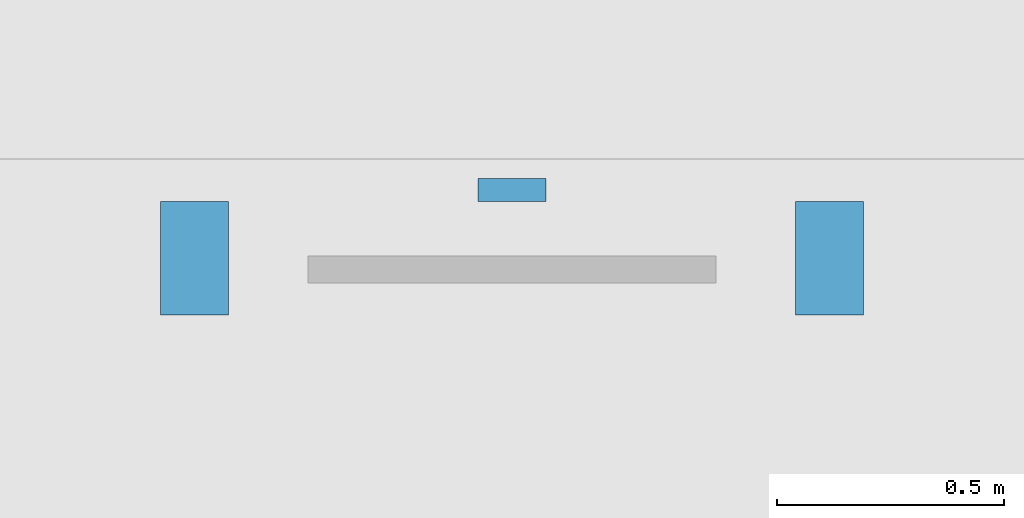
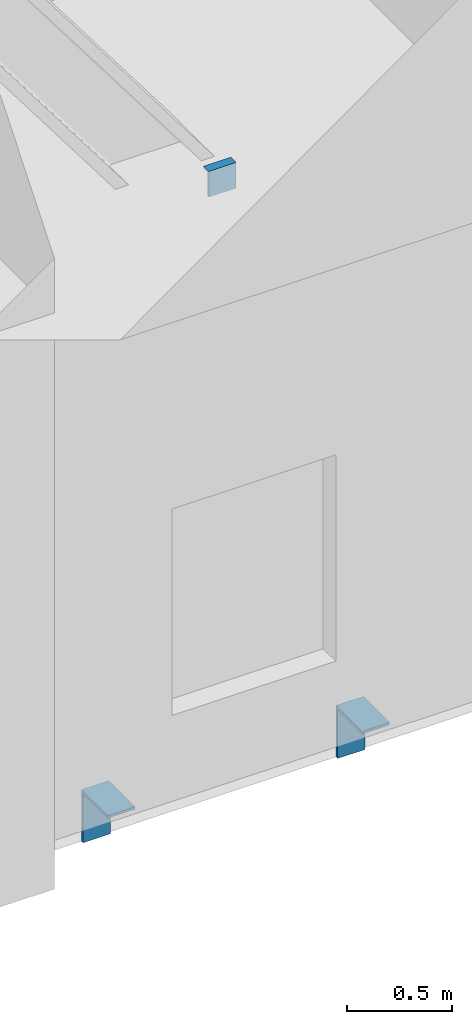
# One storey, part 10 of 17: 3 discrete accessories.
"""IFC4 building model written with IfcOpenShell, lengths in metres."""

import ifcopenshell
import ifcopenshell.guid

model = None  # the IFC model being written
_history = None  # IfcOwnerHistory: only IFC2X3 demands one
_inside = {}  # id of a spatial element -> (the spatial element, [elements in it])
_under = {}  # id of a project, library or spatial element -> (it, [spatial elements below it])
_declared = {}  # id of a project -> (the project, [libraries it declares])
_typed = {}  # id of a type object -> (the type object, [elements of that type])
_made_of = {}  # id of a material, layer set ... -> (it, [elements and type objects made of it])


def new_model(schema):
    """Start an empty IFC model of exactly this schema.

    Asked for "IFC4X3", IfcOpenShell would pick the latest addendum, in which some entities
    have other attributes; the version numbers below select the first issue.
    IFC2X3 requires an IfcOwnerHistory on every rooted entity: one is made here for all.
    """
    global model, _history
    if schema == "IFC4X3":
        model = ifcopenshell.file(schema_version=(4, 3, 0, 0))
    else:
        model = ifcopenshell.file(schema=schema)
    _inside.clear()
    _under.clear()
    _declared.clear()
    _typed.clear()
    _made_of.clear()
    _history = None
    if model.schema == "IFC2X3":
        org = make("IfcOrganization", Name="unknown")
        user = make(
            "IfcPersonAndOrganization",
            ThePerson=make("IfcPerson", FamilyName="unknown"),
            TheOrganization=org,
        )
        app = make(
            "IfcApplication",
            ApplicationDeveloper=org,
            Version="unknown",
            ApplicationFullName="unknown",
            ApplicationIdentifier="unknown",
        )
        _history = make(
            "IfcOwnerHistory",
            OwningUser=user,
            OwningApplication=app,
            ChangeAction="ADDED",
            CreationDate=0,
        )
    return model


def make(cls, **values):
    """One entity of the class cls with the attributes given. An attribute that is None is left unset."""
    return model.create_entity(
        cls, **{name: value for name, value in values.items() if value is not None}
    )


def rooted(cls, **values):
    """An entity with a GlobalId (a new one), such as an element, a storey or a relation."""
    return make(cls, GlobalId=ifcopenshell.guid.new(), OwnerHistory=_history, **values)


def si_unit(unit_type, name, prefix=None):
    """IfcSIUnit, for example si_unit("LENGTHUNIT", "METRE", prefix="MILLI")."""
    return make("IfcSIUnit", UnitType=unit_type, Prefix=prefix, Name=name)


def assignment(units):
    """IfcUnitAssignment: the units of a project."""
    return None if units is None else make("IfcUnitAssignment", Units=units)


def point(xyz):
    """IfcCartesianPoint."""
    return None if xyz is None else make("IfcCartesianPoint", Coordinates=xyz)


def direction(xyz):
    """IfcDirection."""
    return None if xyz is None else make("IfcDirection", DirectionRatios=xyz)


def frame(location, z_axis=None, x_axis=None):
    """IfcAxis2Placement3D, a coordinate frame: its origin and axes. An axis left out is left unset."""
    return make(
        "IfcAxis2Placement3D",
        Location=point(location),
        Axis=direction(z_axis),
        RefDirection=direction(x_axis),
    )


def origin():
    """The frame at (0, 0, 0) with its axes left unset."""
    return frame((0.0, 0.0, 0.0))


def place(relative_to, where):
    """IfcLocalPlacement: puts the frame where relative to a parent placement (None: the world)."""
    return make(
        "IfcLocalPlacement", PlacementRelTo=relative_to, RelativePlacement=where
    )


def context(
    kind, dimensions, precision=None, world=None, true_north=None, identifier=None
):
    """IfcGeometricRepresentationContext, for example the 3D "Model" context."""
    return make(
        "IfcGeometricRepresentationContext",
        ContextIdentifier=identifier,
        ContextType=kind,
        CoordinateSpaceDimension=dimensions,
        Precision=precision,
        WorldCoordinateSystem=world,
        TrueNorth=true_north,
    )


def subcontext(parent, identifier, kind, view, scale=None):
    """IfcGeometricRepresentationSubContext, for example "Body" below "Model"."""
    return make(
        "IfcGeometricRepresentationSubContext",
        ContextIdentifier=identifier,
        ContextType=kind,
        ParentContext=parent,
        TargetScale=scale,
        TargetView=view,
    )


def project(units=None, contexts=None):
    """IfcProject with its units and contexts."""
    return rooted(
        "IfcProject",
        Name="project",
        RepresentationContexts=contexts,
        UnitsInContext=assignment(units),
    )


def spatial(cls, under=None, at=None, **own):
    """A site, building, storey or space (cls), placed at a placement, below another one or the project."""
    s = rooted(cls, ObjectPlacement=at, **own)
    if under is not None:
        _under.setdefault(under.id(), (under, []))[1].append(s)
    return s


def polyline(points):
    """IfcPolyline through the points."""
    return make("IfcPolyline", Points=[point(p) for p in points])


def outline(outer, holes=None, kind="AREA"):
    """IfcArbitraryClosedProfileDef: a profile drawn as a closed curve; with holes, ...WithVoids."""
    if holes is None:
        return make("IfcArbitraryClosedProfileDef", ProfileType=kind, OuterCurve=outer)
    return make(
        "IfcArbitraryProfileDefWithVoids",
        ProfileType=kind,
        OuterCurve=outer,
        InnerCurves=holes,
    )


def extrude(swept, where, along, depth):
    """IfcExtrudedAreaSolid: the profile swept, set in the frame where, extruded along a direction by depth."""
    return make(
        "IfcExtrudedAreaSolid",
        SweptArea=swept,
        Position=where,
        ExtrudedDirection=direction(along),
        Depth=depth,
    )


def shape(context_of_items, identifier, shape_type, items):
    """IfcShapeRepresentation: the items that make up one representation, for example the "Body"."""
    return make(
        "IfcShapeRepresentation",
        ContextOfItems=context_of_items,
        RepresentationIdentifier=identifier,
        RepresentationType=shape_type,
        Items=items,
    )


def source(mapping_origin, context_of_items, identifier, shape_type, items):
    """IfcRepresentationMap: a shape defined once, which mapped items show again and again."""
    return make(
        "IfcRepresentationMap",
        MappingOrigin=mapping_origin,
        MappedRepresentation=shape(context_of_items, identifier, shape_type, items),
    )


def transform(
    local_origin,
    x_axis=None,
    y_axis=None,
    z_axis=None,
    scale=None,
    scale2=None,
    scale3=None,
    uniform=True,
):
    """IfcCartesianTransformationOperator3D, or its non-uniform kind. x_axis, y_axis, z_axis: its Axis1, 2, 3."""
    if uniform:
        return make(
            "IfcCartesianTransformationOperator3D",
            Axis1=direction(x_axis),
            Axis2=direction(y_axis),
            LocalOrigin=point(local_origin),
            Scale=scale,
            Axis3=direction(z_axis),
        )
    return make(
        "IfcCartesianTransformationOperator3DnonUniform",
        Axis1=direction(x_axis),
        Axis2=direction(y_axis),
        LocalOrigin=point(local_origin),
        Scale=scale,
        Axis3=direction(z_axis),
        Scale2=scale2,
        Scale3=scale3,
    )


def mapped(mapping_source, mapping_target):
    """IfcMappedItem: shows the shape of a source again, moved by a transform."""
    return make(
        "IfcMappedItem", MappingSource=mapping_source, MappingTarget=mapping_target
    )


def material(Name=None, Category=None):
    """IfcMaterial."""
    return make("IfcMaterial", Name=Name, Category=Category)


def layer(
    of_material, thickness, ventilated=None, Name=None, Category=None, Priority=None
):
    """IfcMaterialLayer: one layer of a wall or slab, of a material (None: an air gap)."""
    return make(
        "IfcMaterialLayer",
        Material=of_material,
        LayerThickness=thickness,
        IsVentilated=ventilated,
        Name=Name,
        Category=Category,
        Priority=Priority,
    )


def layer_set(layers, Name=None):
    """IfcMaterialLayerSet."""
    return make("IfcMaterialLayerSet", MaterialLayers=layers, LayerSetName=Name)


def made_of(thing, what):
    """Note that an element or type object is made of a material, layer set ...; save() writes the relation."""
    if what is not None:
        _made_of.setdefault(what.id(), (what, []))[1].append(thing)
    return thing


def type_object(cls, material=None, **own):
    """A type object (cls), such as IfcWallType, which elements share."""
    return made_of(rooted(cls, **own), material)


def element(
    cls,
    number,
    at=None,
    inside=None,
    cuts=None,
    type_object=None,
    material=None,
    context=None,
    identifier="Body",
    shape_type=None,
    held_by="IfcProductDefinitionShape",
    body=None,
    shapes=None,
    **own,
):
    """One element of the class cls, such as IfcWall. Its Tag is "e" and its number.

    at: its placement. inside: the storey or other place that contains it. cuts: it is an
    opening in that element (IfcRelVoidsElement). A single representation is given by context,
    identifier, shape_type and body (its items); several are given by shapes. held_by: the class
    of the entity that holds the representations. save() writes the other relations.
    """
    e = rooted(cls, Tag="e%d" % number, ObjectPlacement=at, **own)
    if body is not None:
        shapes = [shape(context, identifier, shape_type, body)]
    if shapes is not None:
        e.Representation = make(held_by, Representations=shapes)
    if inside is not None:
        _inside.setdefault(inside.id(), (inside, []))[1].append(e)
    if cuts is not None:
        rooted(
            "IfcRelVoidsElement", RelatingBuildingElement=cuts, RelatedOpeningElement=e
        )
    if type_object is not None:
        _typed.setdefault(type_object.id(), (type_object, []))[1].append(e)
    return made_of(e, material)


def aggregate(whole, parts):
    """IfcRelAggregates: a whole, such as a stair, and the parts it consists of."""
    return rooted("IfcRelAggregates", RelatingObject=whole, RelatedObjects=parts)


def save(model, path):
    """Write the relations noted so far, then the file.

    IfcRelAggregates (storeys below a building ...), IfcRelContainedInSpatialStructure (elements
    in a storey), IfcRelDefinesByType, IfcRelAssociatesMaterial and IfcRelDeclares: one each for
    every whole, place, type object, material and project.
    """
    for whole, parts in _under.values():
        aggregate(whole, parts)
    for where, things in _inside.values():
        rooted(
            "IfcRelContainedInSpatialStructure",
            RelatedElements=things,
            RelatingStructure=where,
        )
    for kind, things in _typed.values():
        rooted("IfcRelDefinesByType", RelatedObjects=things, RelatingType=kind)
    for what, things in _made_of.values():
        rooted("IfcRelAssociatesMaterial", RelatedObjects=things, RelatingMaterial=what)
    for by, libraries in _declared.values():
        rooted("IfcRelDeclares", RelatingContext=by, RelatedDefinitions=libraries)
    model.write(path)


model = new_model("IFC4")

# Units and contexts
model_context = context("Model", 3, precision=1e-05, world=origin(), true_north=direction((0.0, 1.0)))
body_context = subcontext(model_context, "Body", "Model", "MODEL_VIEW")
ifc_project = project(units=[si_unit("LENGTHUNIT", "METRE"), si_unit("AREAUNIT", "SQUARE_METRE"), si_unit("VOLUMEUNIT", "CUBIC_METRE"), si_unit("PLANEANGLEUNIT", "RADIAN"), si_unit("MASSUNIT", "GRAM", prefix="KILO")], contexts=[model_context])

# Site, building, storey
site_placement = place(None, origin())
site = spatial("IfcSite", under=ifc_project, at=site_placement, CompositionType="ELEMENT")
building_placement = place(site_placement, origin())
building = spatial("IfcBuilding", under=site, at=building_placement, Name="Kilele Tower Hotel", CompositionType="ELEMENT")
storey_placement = place(building_placement, frame((0.0, 0.0, 151.89990234375)))
storey = spatial("IfcBuildingStorey", under=building, at=storey_placement, Name="L39", CompositionType="ELEMENT", Elevation=151.89990234375)

# Discrete accessories
ifc_material_1 = material(Name="Hot-dip galvanized steel S355", Category="steel")
ifc_layer_1 = layer(ifc_material_1, 0.014892578125)
ifc_layer_set_1 = layer_set([ifc_layer_1], Name="Hot-dip galvanized steel S355")
discrete_accessory_type_1 = type_object("IfcDiscreteAccessoryType", Name="Facade panel bearing bracket 250x150x15", PredefinedType="BRACKET", material=ifc_layer_set_1)
shared_shape_1 = source(origin(), body_context, "Body", "SweptSolid", [
    extrude(outline(polyline([(0.0, 0.0), (0.25, 0.0), (0.25, -0.014892578125), (0.014892578125, -0.014892578125), (0.014892578125, -0.300048828125), (0.0, -0.300048828125), (0.0, 0.0)])), origin(), (0.0, 0.0, 1.0), 0.14990234375),
])
for number, where, z_axis, x_axis, name in (
    (1, (28.625, -0.300048828125, 0.0), (-1.0, 0.0, 0.0), (0.0, -1.0, 0.0), "Facade panel bearing bracket L39"),
    (2, (30.02490234375, -0.300048828125, 0.0), (-1.0, 0.0, 0.0), (0.0, -1.0, 0.0), "Facade panel bearing bracket L39"),
):
    element("IfcDiscreteAccessory", number, at=place(storey_placement, frame(where, z_axis=z_axis, x_axis=x_axis)), inside=storey, type_object=discrete_accessory_type_1, Name=name, PredefinedType="BRACKET", context=body_context, shape_type="MappedRepresentation", body=[
        mapped(shared_shape_1, transform((0.0, 0.0, 0.0))),
    ])
ifc_material_2 = material(Name="Hot-dip galvanized steel S355", Category="steel")
ifc_layer_2 = layer(ifc_material_2, 0.011962890625)
ifc_layer_set_2 = layer_set([ifc_layer_2], Name="Hot-dip galvanized steel S355")
discrete_accessory_type_2 = type_object("IfcDiscreteAccessoryType", Name="Facade panel restraint bracket 150x50x12", PredefinedType="BRACKET", material=ifc_layer_set_2)
shared_shape_2 = source(origin(), body_context, "Body", "SweptSolid", [
    extrude(outline(polyline([(0.0, 0.0), (0.0, -0.14990234375), (-0.011962890625, -0.14990234375), (-0.011962890625, -0.011962890625), (-0.050048828125, -0.011962890625), (-0.050048828125, 0.0), (0.0, 0.0)])), origin(), (0.0, 0.0, 1.0), 0.14990234375),
])
discrete_accessory_placement = place(storey_placement, frame((29.324951171875, -0.300048828125, 3.35009765625), z_axis=(-1.0, 0.0, 0.0), x_axis=(0.0, -1.0, 0.0)))
element("IfcDiscreteAccessory", 3, at=discrete_accessory_placement, inside=storey, type_object=discrete_accessory_type_2, Name="Facade panel restraint bracket L39", PredefinedType="BRACKET", context=body_context, shape_type="MappedRepresentation", body=[
    mapped(shared_shape_2, transform((0.0, 0.0, 0.0))),
])

save(model, "model.ifc")
